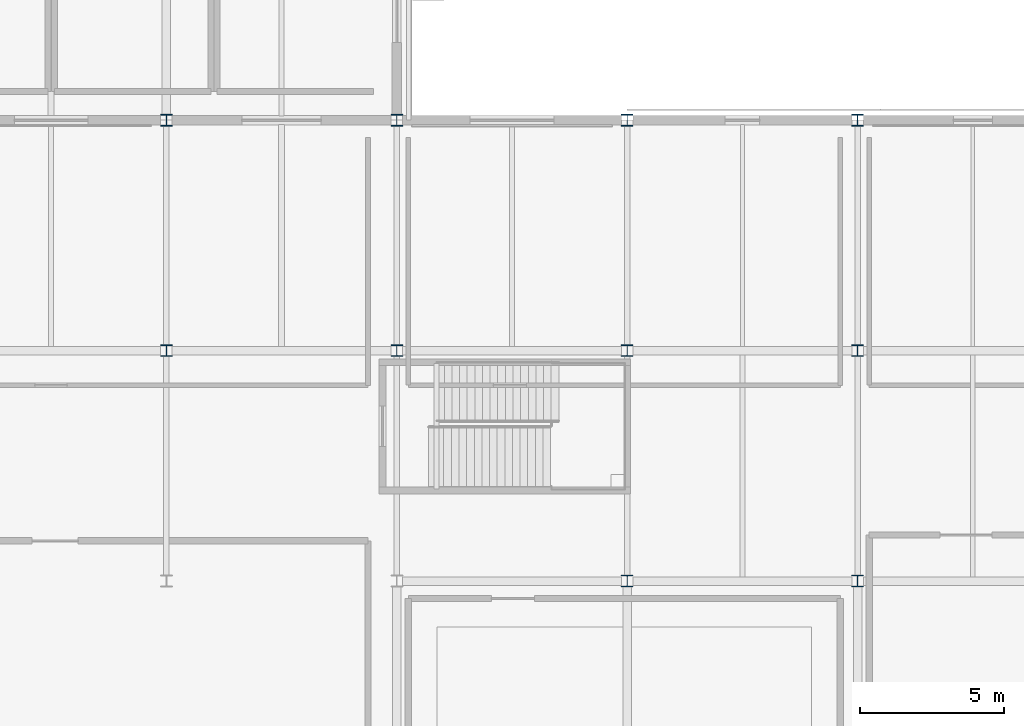
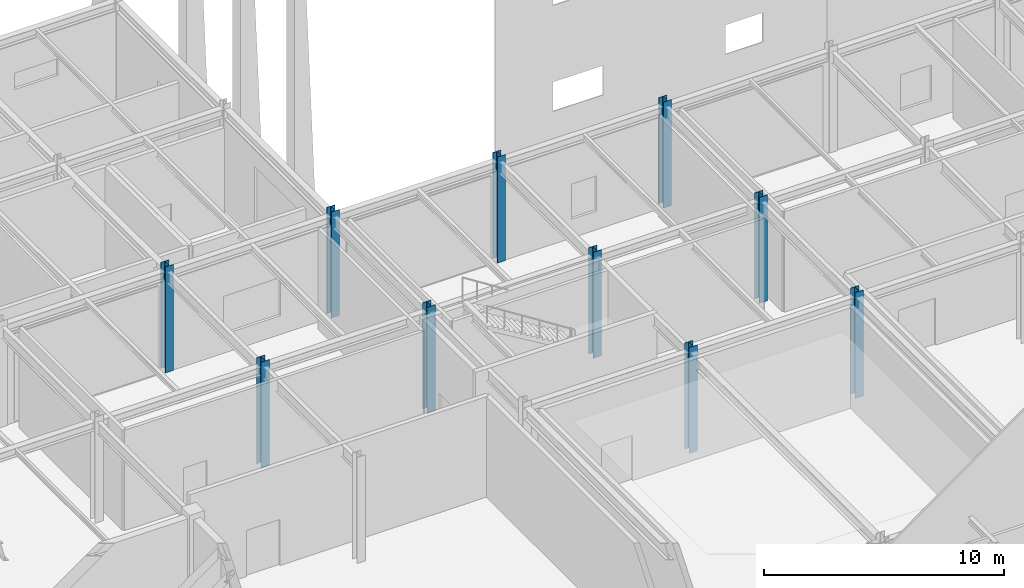
# One storey, part 15 of 119: 10 columns.
"""IFC4 building model written with IfcOpenShell, lengths in metres."""

import ifcopenshell
import ifcopenshell.guid

model = None  # the IFC model being written
_history = None  # IfcOwnerHistory: only IFC2X3 demands one
_inside = {}  # id of a spatial element -> (the spatial element, [elements in it])
_under = {}  # id of a project, library or spatial element -> (it, [spatial elements below it])
_declared = {}  # id of a project -> (the project, [libraries it declares])
_typed = {}  # id of a type object -> (the type object, [elements of that type])
_made_of = {}  # id of a material, layer set ... -> (it, [elements and type objects made of it])


def new_model(schema):
    """Start an empty IFC model of exactly this schema.

    Asked for "IFC4X3", IfcOpenShell would pick the latest addendum, in which some entities
    have other attributes; the version numbers below select the first issue.
    IFC2X3 requires an IfcOwnerHistory on every rooted entity: one is made here for all.
    """
    global model, _history
    if schema == "IFC4X3":
        model = ifcopenshell.file(schema_version=(4, 3, 0, 0))
    else:
        model = ifcopenshell.file(schema=schema)
    _inside.clear()
    _under.clear()
    _declared.clear()
    _typed.clear()
    _made_of.clear()
    _history = None
    if model.schema == "IFC2X3":
        org = make("IfcOrganization", Name="unknown")
        user = make(
            "IfcPersonAndOrganization",
            ThePerson=make("IfcPerson", FamilyName="unknown"),
            TheOrganization=org,
        )
        app = make(
            "IfcApplication",
            ApplicationDeveloper=org,
            Version="unknown",
            ApplicationFullName="unknown",
            ApplicationIdentifier="unknown",
        )
        _history = make(
            "IfcOwnerHistory",
            OwningUser=user,
            OwningApplication=app,
            ChangeAction="ADDED",
            CreationDate=0,
        )
    return model


def make(cls, **values):
    """One entity of the class cls with the attributes given. An attribute that is None is left unset."""
    return model.create_entity(
        cls, **{name: value for name, value in values.items() if value is not None}
    )


def rooted(cls, **values):
    """An entity with a GlobalId (a new one), such as an element, a storey or a relation."""
    return make(cls, GlobalId=ifcopenshell.guid.new(), OwnerHistory=_history, **values)


def si_unit(unit_type, name, prefix=None):
    """IfcSIUnit, for example si_unit("LENGTHUNIT", "METRE", prefix="MILLI")."""
    return make("IfcSIUnit", UnitType=unit_type, Prefix=prefix, Name=name)


def assignment(units):
    """IfcUnitAssignment: the units of a project."""
    return None if units is None else make("IfcUnitAssignment", Units=units)


def point(xyz):
    """IfcCartesianPoint."""
    return None if xyz is None else make("IfcCartesianPoint", Coordinates=xyz)


def direction(xyz):
    """IfcDirection."""
    return None if xyz is None else make("IfcDirection", DirectionRatios=xyz)


def frame(location, z_axis=None, x_axis=None):
    """IfcAxis2Placement3D, a coordinate frame: its origin and axes. An axis left out is left unset."""
    return make(
        "IfcAxis2Placement3D",
        Location=point(location),
        Axis=direction(z_axis),
        RefDirection=direction(x_axis),
    )


def frame_2d(location, x_axis=None):
    """IfcAxis2Placement2D, a coordinate frame in the plane: its origin and x axis."""
    return make(
        "IfcAxis2Placement2D", Location=point(location), RefDirection=direction(x_axis)
    )


def origin():
    """The frame at (0, 0, 0) with its axes left unset."""
    return frame((0.0, 0.0, 0.0))


def origin_2d():
    """The frame at (0, 0) in the plane with its x axis left unset."""
    return frame_2d((0.0, 0.0))


def place(relative_to, where):
    """IfcLocalPlacement: puts the frame where relative to a parent placement (None: the world)."""
    return make(
        "IfcLocalPlacement", PlacementRelTo=relative_to, RelativePlacement=where
    )


def context(
    kind, dimensions, precision=None, world=None, true_north=None, identifier=None
):
    """IfcGeometricRepresentationContext, for example the 3D "Model" context."""
    return make(
        "IfcGeometricRepresentationContext",
        ContextIdentifier=identifier,
        ContextType=kind,
        CoordinateSpaceDimension=dimensions,
        Precision=precision,
        WorldCoordinateSystem=world,
        TrueNorth=true_north,
    )


def subcontext(parent, identifier, kind, view, scale=None):
    """IfcGeometricRepresentationSubContext, for example "Body" below "Model"."""
    return make(
        "IfcGeometricRepresentationSubContext",
        ContextIdentifier=identifier,
        ContextType=kind,
        ParentContext=parent,
        TargetScale=scale,
        TargetView=view,
    )


def project(units=None, contexts=None):
    """IfcProject with its units and contexts."""
    return rooted(
        "IfcProject",
        Name="project",
        RepresentationContexts=contexts,
        UnitsInContext=assignment(units),
    )


def spatial(cls, under=None, at=None, **own):
    """A site, building, storey or space (cls), placed at a placement, below another one or the project."""
    s = rooted(cls, ObjectPlacement=at, **own)
    if under is not None:
        _under.setdefault(under.id(), (under, []))[1].append(s)
    return s


def profile(cls, at=None, kind="AREA", **sizes):
    """A parametric profile (cls). Its sizes go by their IFC names, for example OverallWidth=200.0."""
    return make(cls, ProfileType=kind, Position=at, **sizes)


def i_section(**sizes):
    """IfcIShapeProfileDef."""
    return profile("IfcIShapeProfileDef", **sizes)


def extrude(swept, where, along, depth):
    """IfcExtrudedAreaSolid: the profile swept, set in the frame where, extruded along a direction by depth."""
    return make(
        "IfcExtrudedAreaSolid",
        SweptArea=swept,
        Position=where,
        ExtrudedDirection=direction(along),
        Depth=depth,
    )


def shape(context_of_items, identifier, shape_type, items):
    """IfcShapeRepresentation: the items that make up one representation, for example the "Body"."""
    return make(
        "IfcShapeRepresentation",
        ContextOfItems=context_of_items,
        RepresentationIdentifier=identifier,
        RepresentationType=shape_type,
        Items=items,
    )


def material(Name=None, Category=None):
    """IfcMaterial."""
    return make("IfcMaterial", Name=Name, Category=Category)


def material_profile(
    of_material, cross_section, Name=None, Category=None, Priority=None
):
    """IfcMaterialProfile: a cross section and its material."""
    return make(
        "IfcMaterialProfile",
        Name=Name,
        Material=of_material,
        Profile=cross_section,
        Priority=Priority,
        Category=Category,
    )


def profile_set(profiles, Name=None, composite=None):
    """IfcMaterialProfileSet."""
    return make(
        "IfcMaterialProfileSet",
        Name=Name,
        MaterialProfiles=profiles,
        CompositeProfile=composite,
    )


def made_of(thing, what):
    """Note that an element or type object is made of a material, layer set ...; save() writes the relation."""
    if what is not None:
        _made_of.setdefault(what.id(), (what, []))[1].append(thing)
    return thing


def type_object(cls, material=None, **own):
    """A type object (cls), such as IfcWallType, which elements share."""
    return made_of(rooted(cls, **own), material)


def element(
    cls,
    number,
    at=None,
    inside=None,
    cuts=None,
    type_object=None,
    material=None,
    context=None,
    identifier="Body",
    shape_type=None,
    held_by="IfcProductDefinitionShape",
    body=None,
    shapes=None,
    **own,
):
    """One element of the class cls, such as IfcWall. Its Tag is "e" and its number.

    at: its placement. inside: the storey or other place that contains it. cuts: it is an
    opening in that element (IfcRelVoidsElement). A single representation is given by context,
    identifier, shape_type and body (its items); several are given by shapes. held_by: the class
    of the entity that holds the representations. save() writes the other relations.
    """
    e = rooted(cls, Tag="e%d" % number, ObjectPlacement=at, **own)
    if body is not None:
        shapes = [shape(context, identifier, shape_type, body)]
    if shapes is not None:
        e.Representation = make(held_by, Representations=shapes)
    if inside is not None:
        _inside.setdefault(inside.id(), (inside, []))[1].append(e)
    if cuts is not None:
        rooted(
            "IfcRelVoidsElement", RelatingBuildingElement=cuts, RelatedOpeningElement=e
        )
    if type_object is not None:
        _typed.setdefault(type_object.id(), (type_object, []))[1].append(e)
    return made_of(e, material)


def aggregate(whole, parts):
    """IfcRelAggregates: a whole, such as a stair, and the parts it consists of."""
    return rooted("IfcRelAggregates", RelatingObject=whole, RelatedObjects=parts)


def save(model, path):
    """Write the relations noted so far, then the file.

    IfcRelAggregates (storeys below a building ...), IfcRelContainedInSpatialStructure (elements
    in a storey), IfcRelDefinesByType, IfcRelAssociatesMaterial and IfcRelDeclares: one each for
    every whole, place, type object, material and project.
    """
    for whole, parts in _under.values():
        aggregate(whole, parts)
    for where, things in _inside.values():
        rooted(
            "IfcRelContainedInSpatialStructure",
            RelatedElements=things,
            RelatingStructure=where,
        )
    for kind, things in _typed.values():
        rooted("IfcRelDefinesByType", RelatedObjects=things, RelatingType=kind)
    for what, things in _made_of.values():
        rooted("IfcRelAssociatesMaterial", RelatedObjects=things, RelatingMaterial=what)
    for by, libraries in _declared.values():
        rooted("IfcRelDeclares", RelatingContext=by, RelatedDefinitions=libraries)
    model.write(path)


model = new_model("IFC4")

# Units and contexts
model_context = context("Model", 3, precision=1e-05, world=origin(), true_north=direction((0.0, 1.0)))
body_context = subcontext(model_context, "Body", "Model", "MODEL_VIEW")
ifc_project = project(units=[si_unit("LENGTHUNIT", "METRE"), si_unit("AREAUNIT", "SQUARE_METRE"), si_unit("VOLUMEUNIT", "CUBIC_METRE"), si_unit("PLANEANGLEUNIT", "RADIAN"), si_unit("MASSUNIT", "GRAM", prefix="KILO")], contexts=[model_context])

# Site, building, storey
site_placement = place(None, origin())
site = spatial("IfcSite", under=ifc_project, at=site_placement, CompositionType="ELEMENT")
building_placement = place(site_placement, origin())
building = spatial("IfcBuilding", under=site, at=building_placement, Name="Zhaolan Boulevard Law Courts", CompositionType="ELEMENT")
storey_placement = place(building_placement, origin())
storey = spatial("IfcBuildingStorey", under=building, at=storey_placement, Name="L00", CompositionType="ELEMENT", Elevation=0.0)

# Columns
ifc_material = material(Name="Structural steel Q390B", Category="steel")
ifc_material_profile = material_profile(ifc_material, i_section(OverallWidth=0.39990234375, OverallDepth=0.39990234375, WebThickness=0.012939453125, FlangeThickness=0.02099609375, FilletRadius=0.02197265625, at=origin_2d()), Name="HW400x400")
ifc_profile_set = profile_set([ifc_material_profile], Name="Structural steel Q390B")
column_type = type_object("IfcColumnType", Name="COL HW400", PredefinedType="COLUMN", material=ifc_profile_set)
for number, where, z_axis, x_axis, name in (
    (1, (100.0, 86.0, 0.0), (0.0, 0.0, 1.0), (1.0, 0.0, 0.0), "Column C-13M (L00)"),
    (2, (100.0, 94.0, 0.0), (0.0, 0.0, 1.0), (1.0, 0.0, 0.0), "Column C-13N (L00)"),
    (3, (108.0, 86.0, 0.0), (0.0, 0.0, 1.0), (1.0, 0.0, 0.0), "Column C-14M (L00)"),
    (4, (108.0, 94.0, 0.0), (0.0, 0.0, 1.0), (1.0, 0.0, 0.0), "Column C-14N (L00)"),
    (5, (116.0, 78.0, 0.0), (0.0, 0.0, 1.0), (1.0, 0.0, 0.0), "Column C-15L (L00)"),
    (6, (116.0, 86.0, 0.0), (0.0, 0.0, 1.0), (1.0, 0.0, 0.0), "Column C-15M (L00)"),
    (7, (116.0, 94.0, 0.0), (0.0, 0.0, 1.0), (1.0, 0.0, 0.0), "Column C-15N (L00)"),
    (8, (124.0, 78.0, 0.0), (0.0, 0.0, 1.0), (1.0, 0.0, 0.0), "Column C-16L (L00)"),
    (9, (124.0, 86.0, 0.0), (0.0, 0.0, 1.0), (1.0, 0.0, 0.0), "Column C-16M (L00)"),
    (10, (124.0, 94.0, 0.0), (0.0, 0.0, 1.0), (1.0, 0.0, 0.0), "Column C-16N (L00)"),
):
    element("IfcColumn", number, at=place(storey_placement, frame(where, z_axis=z_axis, x_axis=x_axis)), inside=storey, type_object=column_type, Name=name, PredefinedType="COLUMN", context=body_context, shape_type="SweptSolid", body=[
        extrude(i_section(OverallWidth=0.39990234375, OverallDepth=0.39990234375, WebThickness=0.012939453125, FlangeThickness=0.02099609375, FilletRadius=0.02197265625, at=origin_2d()), origin(), (0.0, 0.0, 1.0), 5.39990234375),
    ])

save(model, "model.ifc")
